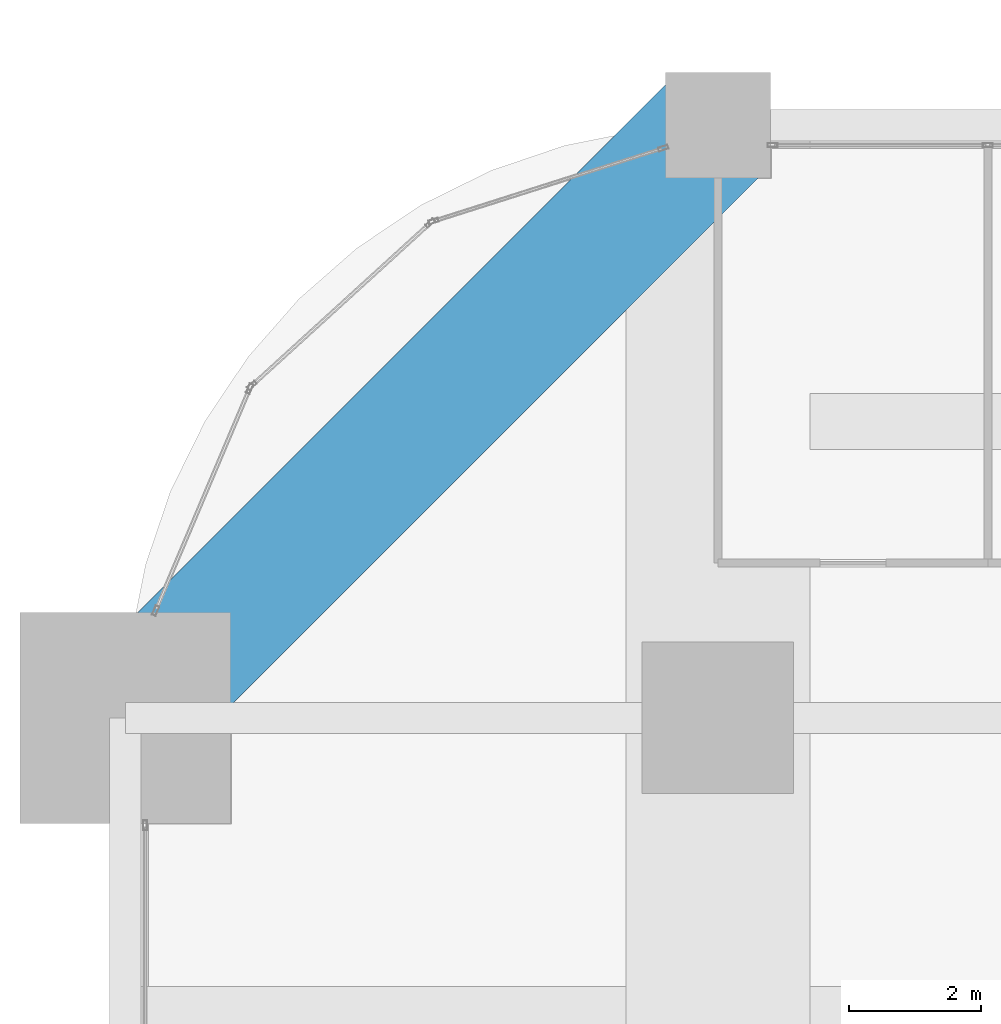
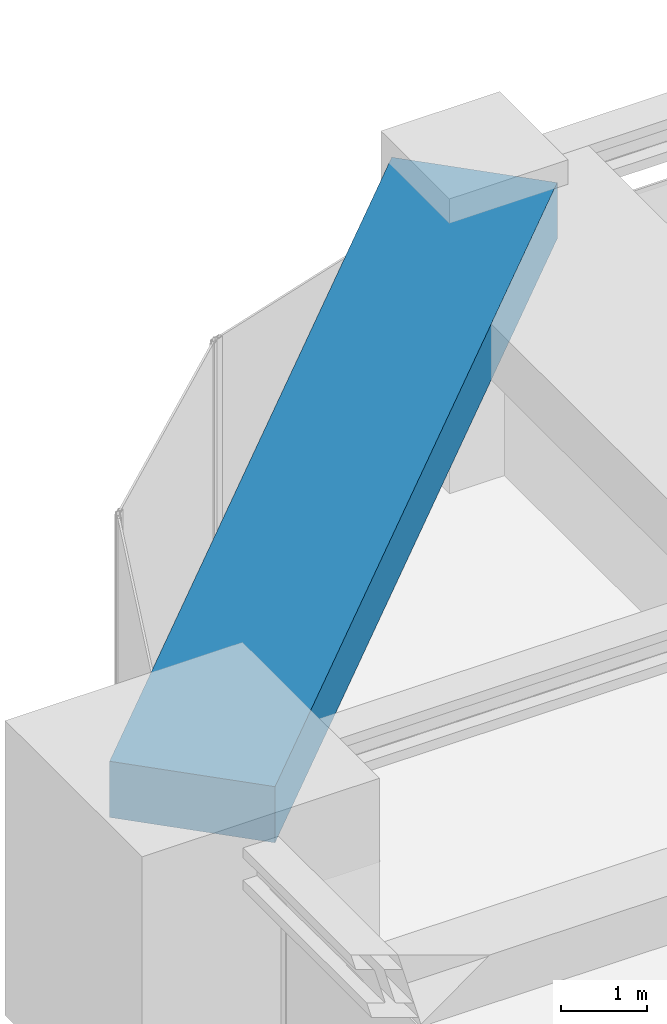
# One storey, part 26 of 39: 1 beam.
"""IFC4 building model written with IfcOpenShell, lengths in metres."""

from ifc_helpers import new_model, si_unit, direction, frame, origin, origin_2d, place, context, subcontext, project, spatial, rectangle, extrude, material, material_profile, profile_set, type_object, element, save


model = new_model("IFC4")

# Units and contexts
model_context = context("Model", 3, precision=1e-05, world=origin(), true_north=direction((0.0, 1.0)))
body_context = subcontext(model_context, "Body", "Model", "MODEL_VIEW")
ifc_project = project(units=[si_unit("LENGTHUNIT", "METRE"), si_unit("AREAUNIT", "SQUARE_METRE"), si_unit("VOLUMEUNIT", "CUBIC_METRE"), si_unit("PLANEANGLEUNIT", "RADIAN"), si_unit("MASSUNIT", "GRAM", prefix="KILO")], contexts=[model_context])

# Site, building, storey
site_placement = place(None, origin())
site = spatial("IfcSite", under=ifc_project, at=site_placement, CompositionType="ELEMENT")
building_placement = place(site_placement, origin())
building = spatial("IfcBuilding", under=site, at=building_placement, Name="Zorevar Civic Tower", CompositionType="ELEMENT")
storey_placement = place(building_placement, frame((0.0, 0.0, 230.199951171875)))
storey = spatial("IfcBuildingStorey", under=building, at=storey_placement, Name="L56", CompositionType="ELEMENT", Elevation=230.199951171875)

# Beam
ifc_material = material(Name="Concrete C50/60", Category="concrete")
ifc_material_profile = material_profile(ifc_material, rectangle(XDim=2.0, YDim=0.800048828125, at=origin_2d()), Name="RC 2000x800")
ifc_profile_set = profile_set([ifc_material_profile], Name="Concrete C50/60")
beam_type = type_object("IfcBeamType", Name="Edge beam RC 2000x800", PredefinedType="SPANDREL", material=ifc_profile_set)
beam_placement = place(storey_placement, frame((9.0, 45.0, 3.449951171875), z_axis=(-0.707106781187, -0.707106781187, 0.0), x_axis=(0.707106781187, -0.707106781187, 0.0)))
element("IfcBeam", 1, at=beam_placement, inside=storey, type_object=beam_type, Name="Corner edge beam L57", PredefinedType="SPANDREL", context=body_context, shape_type="SweptSolid", body=[
    extrude(rectangle(XDim=2.0, YDim=0.800048828125, at=origin_2d()), origin(), (0.0, 0.0, 1.0), 12.72802734375),
])

save(model, "model.ifc")
